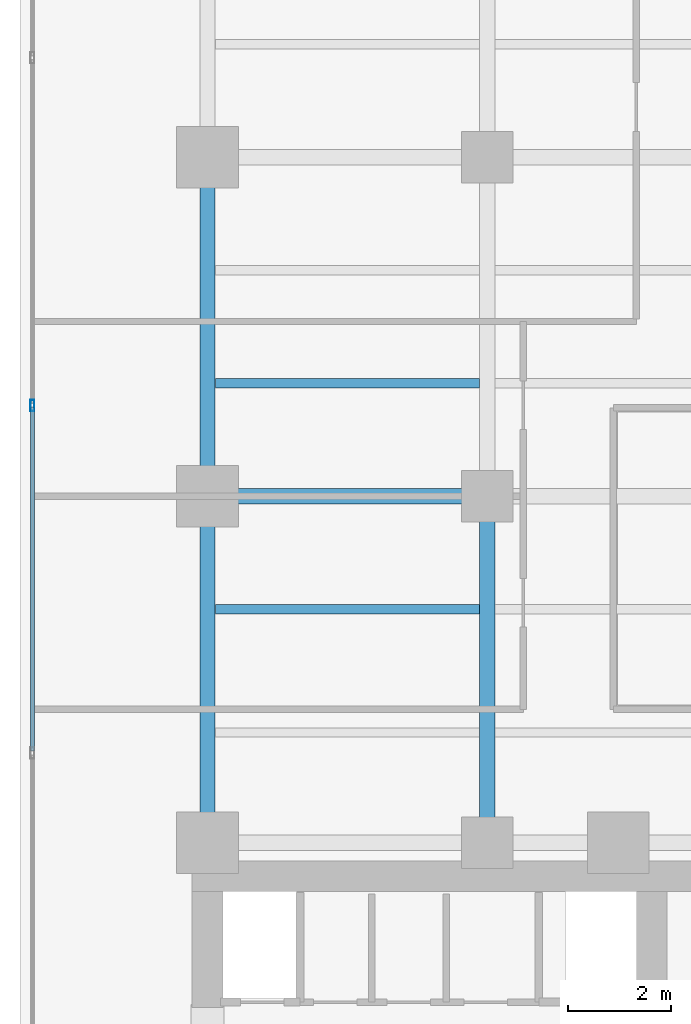
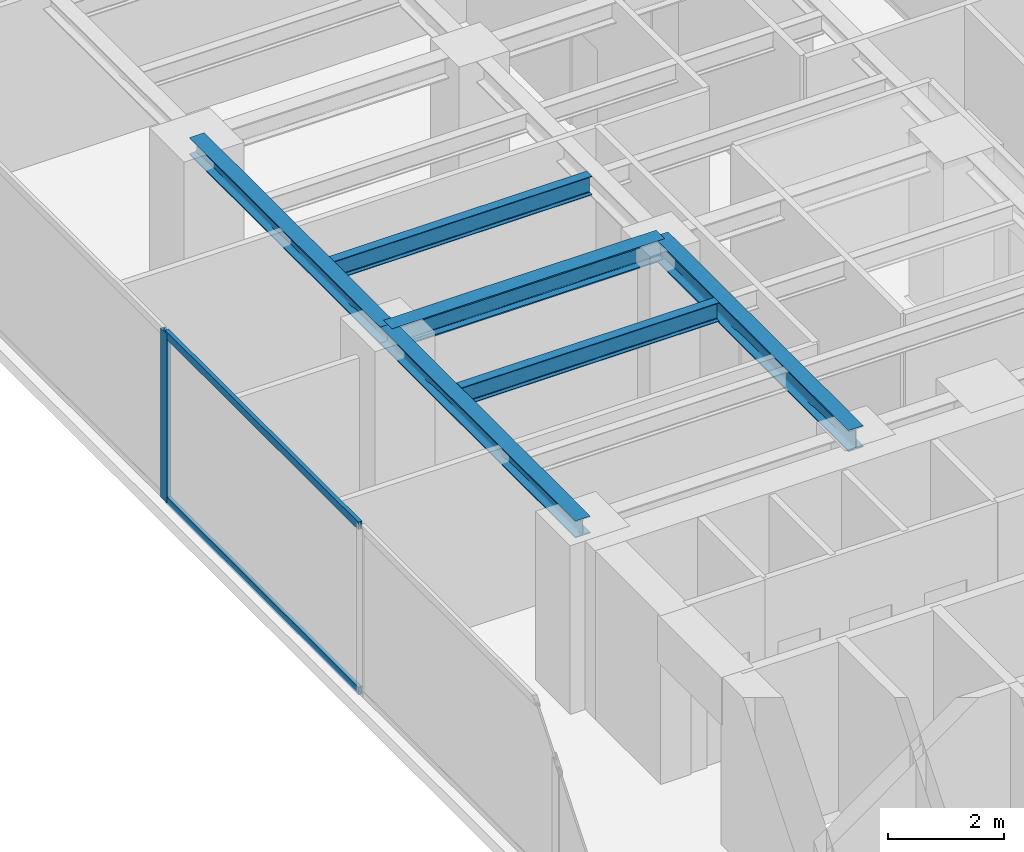
# One storey, part 7 of 24: 6 beams, 3 members, 1 element without a shape of its own.
"""IFC4 building model written with IfcOpenShell, lengths in metres."""

from ifc_helpers import new_model, si_unit, direction, frame, origin, origin_with_axes, origin_2d, place, context, subcontext, project, spatial, hollow_rectangle, i_section, extrude, source, transform, mapped, material, layer, layer_set, material_profile, profile_set, type_object, element, aggregate, save


model = new_model("IFC4")

# Units and contexts
model_context = context("Model", 3, precision=1e-05, world=origin(), true_north=direction((0.0, 1.0)))
body_context = subcontext(model_context, "Body", "Model", "MODEL_VIEW")
ifc_project = project(units=[si_unit("LENGTHUNIT", "METRE"), si_unit("AREAUNIT", "SQUARE_METRE"), si_unit("VOLUMEUNIT", "CUBIC_METRE"), si_unit("PLANEANGLEUNIT", "RADIAN"), si_unit("MASSUNIT", "GRAM", prefix="KILO")], contexts=[model_context])

# Site, building, storey
site_placement = place(None, origin())
site = spatial("IfcSite", under=ifc_project, at=site_placement, CompositionType="ELEMENT")
building_placement = place(site_placement, origin())
building = spatial("IfcBuilding", under=site, at=building_placement, Name="Kolvaren Waterfront Exchange", CompositionType="ELEMENT")
storey_placement = place(building_placement, frame((0.0, 0.0, 169.0)))
storey = spatial("IfcBuildingStorey", under=building, at=storey_placement, Name="L43", CompositionType="ELEMENT", Elevation=169.0)

# Beams
ifc_material_1 = material(Name="Steel S355", Category="steel")
ifc_material_profile_1 = material_profile(ifc_material_1, i_section(OverallWidth=0.300048828125, OverallDepth=0.360107421875, WebThickness=0.012451171875, FlangeThickness=0.0224609375, FilletRadius=0.027099609375, at=origin_2d()), Name="HEB360")
ifc_profile_set_1 = profile_set([ifc_material_profile_1], Name="Steel S355")
beam_type_1 = type_object("IfcBeamType", Name="STR-BM-HEB360", PredefinedType="SPANDREL", material=ifc_profile_set_1)
beam_1_placement = place(storey_placement, frame((7.449951171875, 24.449951171875, 3.3798828125), z_axis=(0.0, 1.0, 0.0), x_axis=(-1.0, 0.0, 0.0)))
element("IfcBeam", 1, at=beam_1_placement, inside=storey, type_object=beam_type_1, Name="L43 north-arm edge beam 1", PredefinedType="SPANDREL", context=body_context, shape_type="SweptSolid", body=[
    extrude(i_section(OverallWidth=0.300048828125, OverallDepth=0.360107421875, WebThickness=0.012451171875, FlangeThickness=0.0224609375, FilletRadius=0.027099609375, at=origin_2d()), origin(), (0.0, 0.0, 1.0), 6.75),
])
beam_2_placement = place(storey_placement, frame((7.449951171875, 31.199951171875, 3.3798828125), z_axis=(0.0, 1.0, 0.0), x_axis=(-1.0, 0.0, 0.0)))
element("IfcBeam", 2, at=beam_2_placement, inside=storey, type_object=beam_type_1, Name="L43 north-arm edge beam 2", PredefinedType="SPANDREL", context=body_context, shape_type="SweptSolid", body=[
    extrude(i_section(OverallWidth=0.300048828125, OverallDepth=0.360107421875, WebThickness=0.012451171875, FlangeThickness=0.0224609375, FilletRadius=0.027099609375, at=origin_2d()), origin(), (0.0, 0.0, 1.0), 6.60009765625),
])
ifc_material_profile_2 = material_profile(ifc_material_1, i_section(OverallWidth=0.300048828125, OverallDepth=0.449951171875, WebThickness=0.013916015625, FlangeThickness=0.02587890625, FilletRadius=0.027099609375, at=origin_2d()), Name="HEB450")
ifc_profile_set_2 = profile_set([ifc_material_profile_2], Name="Steel S355")
beam_type_2 = type_object("IfcBeamType", Name="STR-BM-HEB450", PredefinedType="BEAM", material=ifc_profile_set_2)
beam_3_placement = place(storey_placement, frame((7.449951171875, 31.199951171875, 3.3349609375), z_axis=(1.0, 0.0, 0.0), x_axis=(0.0, 1.0, 0.0)))
element("IfcBeam", 3, at=beam_3_placement, inside=storey, type_object=beam_type_2, Name="L43 north-arm girder 2A", PredefinedType="BEAM", context=body_context, shape_type="SweptSolid", body=[
    extrude(i_section(OverallWidth=0.300048828125, OverallDepth=0.449951171875, WebThickness=0.013916015625, FlangeThickness=0.02587890625, FilletRadius=0.027099609375, at=origin_2d()), origin(), (0.0, 0.0, 1.0), 5.449951171875),
])
beam_4_placement = place(storey_placement, frame((12.89990234375, 24.449951171875, 3.3349609375), z_axis=(0.0, 1.0, 0.0), x_axis=(-1.0, 0.0, 0.0)))
element("IfcBeam", 4, at=beam_4_placement, inside=storey, type_object=beam_type_2, Name="L43 north-arm edge beam 1", PredefinedType="BEAM", context=body_context, shape_type="SweptSolid", body=[
    extrude(i_section(OverallWidth=0.300048828125, OverallDepth=0.449951171875, WebThickness=0.013916015625, FlangeThickness=0.02587890625, FilletRadius=0.027099609375, at=origin_2d()), origin(), (0.0, 0.0, 1.0), 6.75),
])
ifc_material_profile_3 = material_profile(ifc_material_1, i_section(OverallWidth=0.179931640625, OverallDepth=0.39990234375, WebThickness=0.008544921875, FlangeThickness=0.013427734375, FilletRadius=0.02099609375, at=origin_2d()), Name="IPE400")
ifc_profile_set_3 = profile_set([ifc_material_profile_3], Name="Steel S355")
beam_type_3 = type_object("IfcBeamType", Name="STR-BM-IPE400", PredefinedType="JOIST", material=ifc_profile_set_3)
for number, where, z_axis, x_axis, name in (
    (5, (7.60205078125, 29.0, 3.360107421875), (1.0, 0.0, 0.0), (0.0, 1.0, 0.0), "L43 north-arm composite joist 2A"),
    (6, (7.60205078125, 33.39990234375, 3.360107421875), (1.0, 0.0, 0.0), (0.0, 1.0, 0.0), "L43 north-arm composite joist 3A"),
):
    element("IfcBeam", number, at=place(storey_placement, frame(where, z_axis=z_axis, x_axis=x_axis)), inside=storey, type_object=beam_type_3, Name=name, PredefinedType="JOIST", context=body_context, shape_type="SweptSolid", body=[
        extrude(i_section(OverallWidth=0.179931640625, OverallDepth=0.39990234375, WebThickness=0.008544921875, FlangeThickness=0.013427734375, FilletRadius=0.02099609375, at=origin_2d()), origin(), (0.0, 0.0, 1.0), 5.14599609375),
    ])

# Curtain wall, members
ifc_material_2 = material(Name="Anodised aluminium 6063-T6", Category="aluminium")
ifc_layer = layer(ifc_material_2, 0.219970703125, Name="Anodised aluminium 6063-T6")
ifc_layer_set = layer_set([ifc_layer], Name="Anodised aluminium 6063-T6")
curtain_wall_type = type_object("IfcCurtainWallType", Name="ARC-CW-SYS2", PredefinedType="USERDEFINED", material=ifc_layer_set)
curtain_wall_placement = place(storey_placement, origin())
curtain_wall = element("IfcCurtainWall", 7, at=curtain_wall_placement, inside=storey, type_object=curtain_wall_type, Name="L43 stick curtain wall CW2 (CW-L43-W)", ObjectType="STICK CURTAIN WALL", PredefinedType="USERDEFINED")
ifc_material_profile_4 = material_profile(ifc_material_2, hollow_rectangle(XDim=0.080078125, YDim=0.219970703125, WallThickness=0.0048828125, at=origin_2d()), Name="ALU-MUL-220x80x5")
ifc_profile_set_4 = profile_set([ifc_material_profile_4], Name="Anodised aluminium 6063-T6")
member_type_1 = type_object("IfcMemberType", Name="ARC-CWM-220", PredefinedType="MULLION", material=ifc_profile_set_4)
shared_shape_1 = source(origin_with_axes(), body_context, "Body", "SweptSolid", [
    extrude(hollow_rectangle(XDim=0.080078125, YDim=0.219970703125, WallThickness=0.0048828125, at=origin_2d()), origin(), (0.0, 0.0, 1.0), 3.56005859375),
])
member_1_placement = place(storey_placement, frame((4.0400390625, 32.966552734375, 0.0), z_axis=(0.0, 0.0, 1.0), x_axis=(-1.0, 0.0, 0.0)))
member_1 = element("IfcMember", 8, at=member_1_placement, type_object=member_type_1, Name="CW2 mullion 5", PredefinedType="MULLION", context=body_context, shape_type="MappedRepresentation", body=[
    mapped(shared_shape_1, transform((0.0, 0.0, 0.0), x_axis=(1.0, 0.0, 0.0), y_axis=(0.0, 1.0, 0.0), z_axis=(0.0, 0.0, 1.0), scale=1.0)),
])
ifc_material_profile_5 = material_profile(ifc_material_2, hollow_rectangle(XDim=0.074951171875, YDim=0.159912109375, WallThickness=0.00439453125, at=origin_2d()), Name="ALU-TRN-160x75x4.5")
ifc_profile_set_5 = profile_set([ifc_material_profile_5], Name="Anodised aluminium 6063-T6")
member_type_2 = type_object("IfcMemberType", Name="ARC-CWT-160", PredefinedType="USERDEFINED", material=ifc_profile_set_5)
shared_shape_2 = source(origin_with_axes(), body_context, "Body", "SweptSolid", [
    extrude(hollow_rectangle(XDim=0.074951171875, YDim=0.159912109375, WallThickness=0.00439453125, at=origin_2d()), origin(), (0.0, 0.0, 1.0), 6.686767578125),
])
member_2_placement = place(storey_placement, frame((4.0400390625, 26.239990234375, 0.03759765625), z_axis=(0.0, 1.0, 0.0), x_axis=(-1.0, 0.0, 0.0)))
member_2 = element("IfcMember", 9, at=member_2_placement, type_object=member_type_2, Name="CW2 transom 4.1", ObjectType="TRANSOM", PredefinedType="USERDEFINED", context=body_context, shape_type="MappedRepresentation", body=[
    mapped(shared_shape_2, transform((0.0, 0.0, 0.0), x_axis=(1.0, 0.0, 0.0), y_axis=(0.0, 1.0, 0.0), z_axis=(0.0, 0.0, 1.0), scale=1.0)),
])
member_3_placement = place(storey_placement, frame((4.0400390625, 26.239990234375, 3.5224609375), z_axis=(0.0, 1.0, 0.0), x_axis=(-1.0, 0.0, 0.0)))
member_3 = element("IfcMember", 10, at=member_3_placement, type_object=member_type_2, Name="CW2 transom 4.2", ObjectType="TRANSOM", PredefinedType="USERDEFINED", context=body_context, shape_type="MappedRepresentation", body=[
    mapped(shared_shape_2, transform((0.0, 0.0, 0.0), x_axis=(1.0, 0.0, 0.0), y_axis=(0.0, 1.0, 0.0), z_axis=(0.0, 0.0, 1.0), scale=1.0)),
])
aggregate(curtain_wall, [member_1, member_2, member_3])

save(model, "model.ifc")
